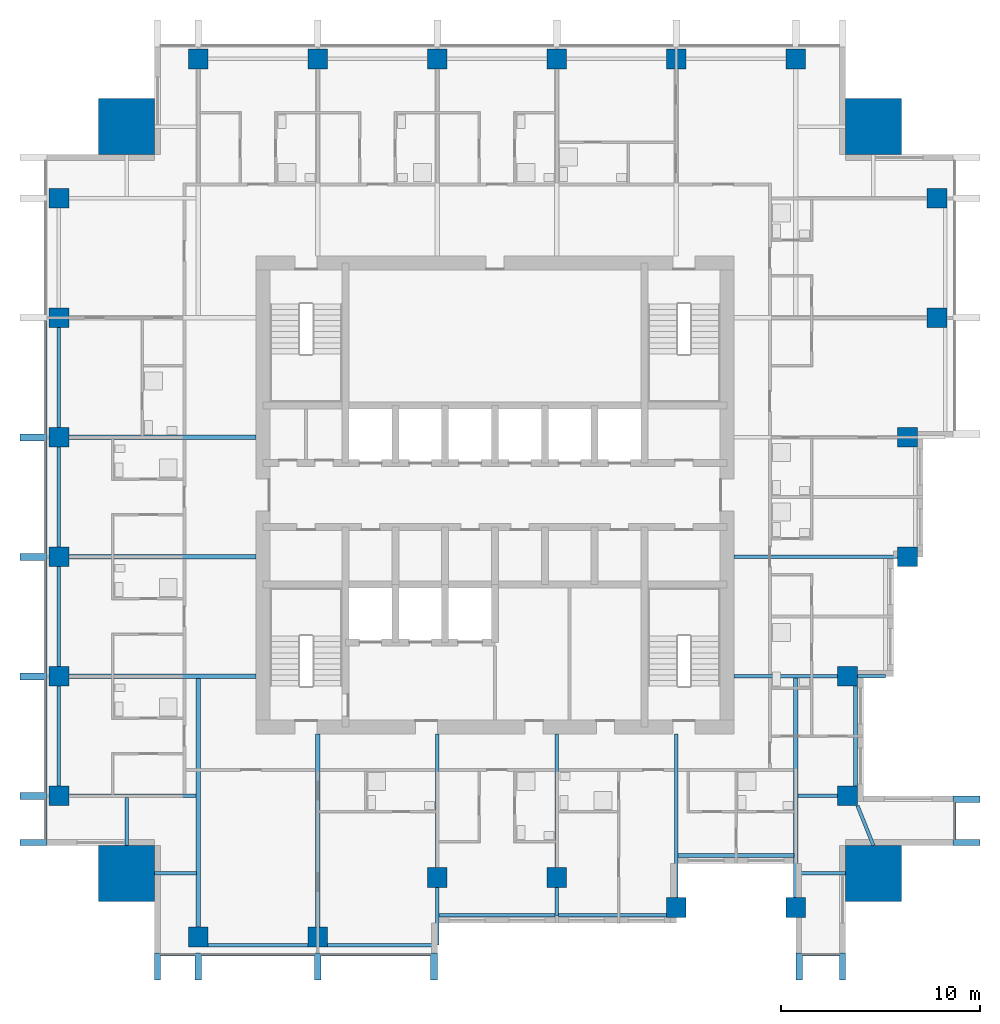
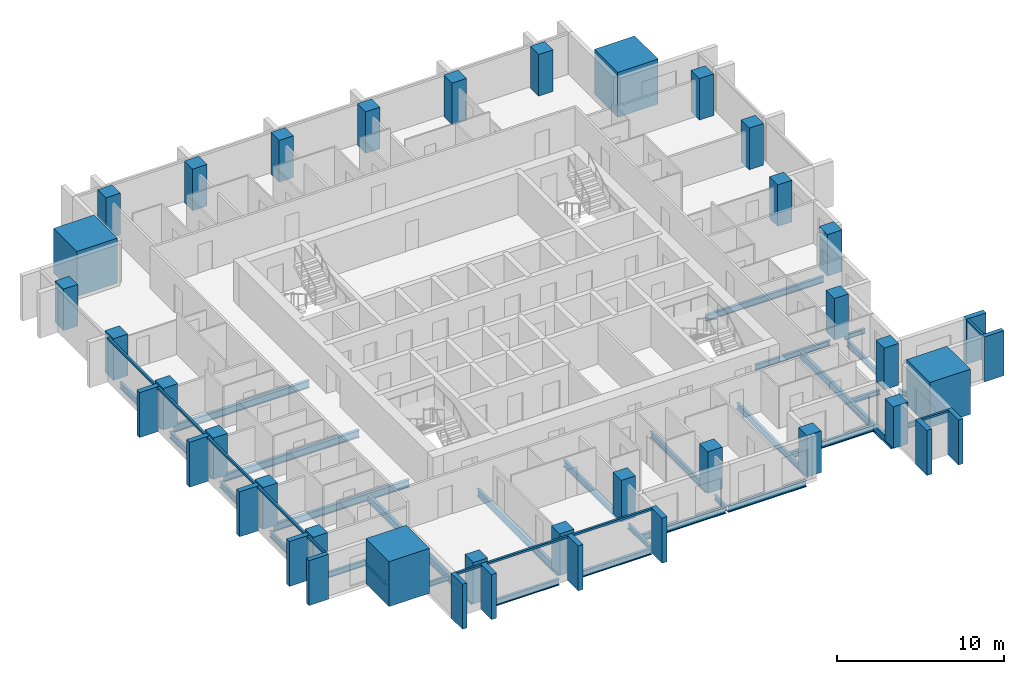
# One storey, part 1 of 10: 30 beams, 28 columns, 23 members, 4 elements without a shape of their own.
"""IFC4 building model written with IfcOpenShell, lengths in metres."""

from ifc_helpers import new_model, si_unit, direction, frame, origin, origin_2d, place, context, subcontext, project, spatial, rectangle, i_section, extrude, material, material_profile, profile_set, type_object, element, aggregate, save


model = new_model("IFC4")

# Units and contexts
model_context = context("Model", 3, precision=1e-05, world=origin(), true_north=direction((0.0, 1.0)))
body_context = subcontext(model_context, "Body", "Model", "MODEL_VIEW")
ifc_project = project(units=[si_unit("LENGTHUNIT", "METRE"), si_unit("AREAUNIT", "SQUARE_METRE"), si_unit("VOLUMEUNIT", "CUBIC_METRE"), si_unit("PLANEANGLEUNIT", "RADIAN"), si_unit("MASSUNIT", "GRAM", prefix="KILO")], contexts=[model_context])

# Site, building, storey
site_placement = place(None, origin())
site = spatial("IfcSite", under=ifc_project, at=site_placement, CompositionType="ELEMENT")
building_placement = place(site_placement, origin())
building = spatial("IfcBuilding", under=site, at=building_placement, Name="Amberfall Residences", CompositionType="ELEMENT")
storey_placement = place(building_placement, frame((0.0, 0.0, 158.199951171875)))
storey = spatial("IfcBuildingStorey", under=building, at=storey_placement, Name="L42", CompositionType="ELEMENT", Elevation=158.199951171875)

# Columns
ifc_material_1 = material(Name="Concrete C60", Category="concrete")
ifc_material_profile_1 = material_profile(ifc_material_1, rectangle(XDim=1.0, YDim=1.0, at=origin_2d()), Name="Column 1000 x 1000 C60")
ifc_profile_set_1 = profile_set([ifc_material_profile_1], Name="Concrete C60")
column_type_1 = type_object("IfcColumnType", Name="Column 1000 x 1000 C60", PredefinedType="COLUMN", material=ifc_profile_set_1)
for number, where, z_axis, x_axis, name in (
    (1, (59.60009765625, 23.300048828125, 0.0), (0.0, 0.0, 1.0), (1.0, 0.0, 0.0), "Column C3 L42 S1"),
    (2, (65.60009765625, 23.300048828125, 0.0), (0.0, 0.0, 1.0), (1.0, 0.0, 0.0), "Column C3 L42 S2"),
    (3, (71.60009765625, 26.300048828125, 0.0), (0.0, 0.0, 1.0), (1.0, 0.0, 0.0), "Column C3 L42 S3"),
    (4, (77.60009765625, 26.300048828125, 0.0), (0.0, 0.0, 1.0), (1.0, 0.0, 0.0), "Column C3 L42 S4"),
    (5, (83.60009765625, 24.800048828125, 0.0), (0.0, 0.0, 1.0), (1.0, 0.0, 0.0), "Column C3 L42 S5"),
    (6, (89.60009765625, 24.800048828125, 0.0), (0.0, 0.0, 1.0), (1.0, 0.0, 0.0), "Column C3 L42 S6"),
    (7, (92.199951171875, 30.39990234375, 0.0), (0.0, 0.0, 1.0), (1.0, 0.0, 0.0), "Column C3 L42 E1"),
    (8, (92.199951171875, 36.39990234375, 0.0), (0.0, 0.0, 1.0), (1.0, 0.0, 0.0), "Column C3 L42 E2"),
    (9, (95.199951171875, 42.39990234375, 0.0), (0.0, 0.0, 1.0), (1.0, 0.0, 0.0), "Column C3 L42 E3"),
    (10, (95.199951171875, 48.39990234375, 0.0), (0.0, 0.0, 1.0), (1.0, 0.0, 0.0), "Column C3 L42 E4"),
    (11, (96.699951171875, 54.39990234375, 0.0), (0.0, 0.0, 1.0), (1.0, 0.0, 0.0), "Column C3 L42 E5"),
    (12, (96.699951171875, 60.39990234375, 0.0), (0.0, 0.0, 1.0), (1.0, 0.0, 0.0), "Column C3 L42 E6"),
    (13, (59.60009765625, 67.39990234375, 0.0), (0.0, 0.0, 1.0), (1.0, 0.0, 0.0), "Column C3 L42 N1"),
    (14, (65.60009765625, 67.39990234375, 0.0), (0.0, 0.0, 1.0), (1.0, 0.0, 0.0), "Column C3 L42 N2"),
    (15, (71.60009765625, 67.39990234375, 0.0), (0.0, 0.0, 1.0), (1.0, 0.0, 0.0), "Column C3 L42 N3"),
    (16, (77.60009765625, 67.39990234375, 0.0), (0.0, 0.0, 1.0), (1.0, 0.0, 0.0), "Column C3 L42 N4"),
    (17, (83.60009765625, 67.39990234375, 0.0), (0.0, 0.0, 1.0), (1.0, 0.0, 0.0), "Column C3 L42 N5"),
    (18, (89.60009765625, 67.39990234375, 0.0), (0.0, 0.0, 1.0), (1.0, 0.0, 0.0), "Column C3 L42 N6"),
    (19, (52.60009765625, 30.39990234375, 0.0), (0.0, 0.0, 1.0), (1.0, 0.0, 0.0), "Column C3 L42 W1"),
    (20, (52.60009765625, 36.39990234375, 0.0), (0.0, 0.0, 1.0), (1.0, 0.0, 0.0), "Column C3 L42 W2"),
    (21, (52.60009765625, 42.39990234375, 0.0), (0.0, 0.0, 1.0), (1.0, 0.0, 0.0), "Column C3 L42 W3"),
    (22, (52.60009765625, 48.39990234375, 0.0), (0.0, 0.0, 1.0), (1.0, 0.0, 0.0), "Column C3 L42 W4"),
    (23, (52.60009765625, 54.39990234375, 0.0), (0.0, 0.0, 1.0), (1.0, 0.0, 0.0), "Column C3 L42 W5"),
    (24, (52.60009765625, 60.39990234375, 0.0), (0.0, 0.0, 1.0), (1.0, 0.0, 0.0), "Column C3 L42 W6"),
):
    element("IfcColumn", number, at=place(storey_placement, frame(where, z_axis=z_axis, x_axis=x_axis)), inside=storey, type_object=column_type_1, Name=name, PredefinedType="COLUMN", context=body_context, shape_type="SweptSolid", body=[
        extrude(rectangle(XDim=1.0, YDim=1.0, at=origin_2d()), origin(), (0.0, 0.0, 1.0), 3.050048828125),
    ])
ifc_material_profile_2 = material_profile(ifc_material_1, rectangle(XDim=2.800048828125, YDim=2.800048828125, at=origin_2d()), Name="Mega column 2800 x 2800 C60")
ifc_profile_set_2 = profile_set([ifc_material_profile_2], Name="Concrete C60")
column_type_2 = type_object("IfcColumnType", Name="Mega column 2800 x 2800 C60", PredefinedType="COLUMN", material=ifc_profile_set_2)
for number, where, z_axis, x_axis, name in (
    (25, (56.0, 26.5, 0.0), (0.0, 0.0, 1.0), (1.0, 0.0, 0.0), "Mega column MC5 L42 SW"),
    (26, (93.5, 26.5, 0.0), (0.0, 0.0, 1.0), (1.0, 0.0, 0.0), "Mega column MC5 L42 SE"),
    (27, (93.5, 64.0, 0.0), (0.0, 0.0, 1.0), (1.0, 0.0, 0.0), "Mega column MC5 L42 NE"),
    (28, (56.0, 64.0, 0.0), (0.0, 0.0, 1.0), (1.0, 0.0, 0.0), "Mega column MC5 L42 NW"),
):
    element("IfcColumn", number, at=place(storey_placement, frame(where, z_axis=z_axis, x_axis=x_axis)), inside=storey, type_object=column_type_2, Name=name, PredefinedType="COLUMN", context=body_context, shape_type="SweptSolid", body=[
        extrude(rectangle(XDim=2.800048828125, YDim=2.800048828125, at=origin_2d()), origin(), (0.0, 0.0, 1.0), 3.300048828125),
    ])

# Curtain wall, members
ifc_material_2 = material(Name="Bronze anodised aluminium and glass", Category="aluminium")
curtain_wall_type = type_object("IfcCurtainWallType", Name="Curtain wall CW1 tower unit", PredefinedType="USERDEFINED", material=ifc_material_2)
curtain_wall_1_placement = place(storey_placement, origin())
curtain_wall_1 = element("IfcCurtainWall", 29, at=curtain_wall_1_placement, inside=storey, type_object=curtain_wall_type, Name="Curtain wall L42 S S1", ObjectType="UNITISED CURTAIN WALL", PredefinedType="USERDEFINED")
ifc_material_3 = material(Name="Bronze anodised aluminium", Category="aluminium")
ifc_material_profile_3 = material_profile(ifc_material_3, rectangle(XDim=0.14990234375, YDim=0.14990234375, at=origin_2d()), Name="CW1 transom 150 x 150 bronze")
ifc_profile_set_3 = profile_set([ifc_material_profile_3], Name="Bronze anodised aluminium")
member_type_1 = type_object("IfcMemberType", Name="CW1 transom 150 x 150 bronze", PredefinedType="USERDEFINED", material=ifc_profile_set_3)
member_1_placement = place(storey_placement, frame((57.699951171875, 22.425048828125, 2.97509765625), z_axis=(1.0, 0.0, 0.0), x_axis=(0.0, 1.0, 0.0)))
member_1 = element("IfcMember", 30, at=member_1_placement, type_object=member_type_1, Name="CW1 transom 1.1", ObjectType="TRANSOM", PredefinedType="USERDEFINED", context=body_context, shape_type="SweptSolid", body=[
    extrude(rectangle(XDim=0.14990234375, YDim=0.14990234375, at=origin_2d()), origin(), (0.0, 0.0, 1.0), 1.72509765625),
])
member_2_placement = place(storey_placement, frame((59.77490234375, 22.425048828125, 2.97509765625), z_axis=(1.0, 0.0, 0.0), x_axis=(0.0, 1.0, 0.0)))
member_2 = element("IfcMember", 31, at=member_2_placement, type_object=member_type_1, Name="CW1 transom 2.1", ObjectType="TRANSOM", PredefinedType="USERDEFINED", context=body_context, shape_type="SweptSolid", body=[
    extrude(rectangle(XDim=0.14990234375, YDim=0.14990234375, at=origin_2d()), origin(), (0.0, 0.0, 1.0), 5.650146484375),
])
member_3_placement = place(storey_placement, frame((65.77490234375, 22.425048828125, 2.97509765625), z_axis=(1.0, 0.0, 0.0), x_axis=(0.0, 1.0, 0.0)))
member_3 = element("IfcMember", 32, at=member_3_placement, type_object=member_type_1, Name="CW1 transom 3.1", ObjectType="TRANSOM", PredefinedType="USERDEFINED", context=body_context, shape_type="SweptSolid", body=[
    extrude(rectangle(XDim=0.14990234375, YDim=0.14990234375, at=origin_2d()), origin(), (0.0, 0.0, 1.0), 5.47509765625),
])

# Curtain wall, member
curtain_wall_2_placement = place(storey_placement, origin())
curtain_wall_2 = element("IfcCurtainWall", 33, at=curtain_wall_2_placement, inside=storey, type_object=curtain_wall_type, Name="Curtain wall L42 S S8", ObjectType="UNITISED CURTAIN WALL", PredefinedType="USERDEFINED")
member_4_placement = place(storey_placement, frame((89.949951171875, 22.425048828125, 2.97509765625), z_axis=(1.0, 0.0, 0.0), x_axis=(0.0, 1.0, 0.0)))
member_4 = element("IfcMember", 34, at=member_4_placement, type_object=member_type_1, Name="CW1 transom 1.1", ObjectType="TRANSOM", PredefinedType="USERDEFINED", context=body_context, shape_type="SweptSolid", body=[
    extrude(rectangle(XDim=0.14990234375, YDim=0.14990234375, at=origin_2d()), origin(), (0.0, 0.0, 1.0), 1.85009765625),
])

curtain_wall_3_placement = place(storey_placement, origin())
curtain_wall_3 = element("IfcCurtainWall", 35, at=curtain_wall_3_placement, inside=storey, type_object=curtain_wall_type, Name="Curtain wall L42 E E1", ObjectType="UNITISED CURTAIN WALL", PredefinedType="USERDEFINED")
member_5_placement = place(storey_placement, frame((97.574951171875, 28.199951171875, 2.97509765625), z_axis=(0.0, 1.0, 0.0), x_axis=(-1.0, 0.0, 0.0)))
member_5 = element("IfcMember", 36, at=member_5_placement, type_object=member_type_1, Name="CW1 transom 1.1", ObjectType="TRANSOM", PredefinedType="USERDEFINED", context=body_context, shape_type="SweptSolid", body=[
    extrude(rectangle(XDim=0.14990234375, YDim=0.14990234375, at=origin_2d()), origin(), (0.0, 0.0, 1.0), 1.85009765625),
])

# Curtain wall, members
curtain_wall_4_placement = place(storey_placement, origin())
curtain_wall_4 = element("IfcCurtainWall", 37, at=curtain_wall_4_placement, inside=storey, type_object=curtain_wall_type, Name="Curtain wall L42 W W1", ObjectType="UNITISED CURTAIN WALL", PredefinedType="USERDEFINED")
member_6_placement = place(storey_placement, frame((51.925048828125, 54.22509765625, 2.97509765625), z_axis=(0.0, -1.0, 0.0), x_axis=(1.0, 0.0, 0.0)))
member_6 = element("IfcMember", 38, at=member_6_placement, type_object=member_type_1, Name="CW1 transom 3.1", ObjectType="TRANSOM", PredefinedType="USERDEFINED", context=body_context, shape_type="SweptSolid", body=[
    extrude(rectangle(XDim=0.14990234375, YDim=0.14990234375, at=origin_2d()), origin(), (0.0, 0.0, 1.0), 5.650146484375),
])
member_7_placement = place(storey_placement, frame((51.925048828125, 48.22509765625, 2.97509765625), z_axis=(0.0, -1.0, 0.0), x_axis=(1.0, 0.0, 0.0)))
member_7 = element("IfcMember", 39, at=member_7_placement, type_object=member_type_1, Name="CW1 transom 4.1", ObjectType="TRANSOM", PredefinedType="USERDEFINED", context=body_context, shape_type="SweptSolid", body=[
    extrude(rectangle(XDim=0.14990234375, YDim=0.14990234375, at=origin_2d()), origin(), (0.0, 0.0, 1.0), 5.650146484375),
])
member_8_placement = place(storey_placement, frame((51.925048828125, 42.22509765625, 2.97509765625), z_axis=(0.0, -1.0, 0.0), x_axis=(1.0, 0.0, 0.0)))
member_8 = element("IfcMember", 40, at=member_8_placement, type_object=member_type_1, Name="CW1 transom 5.1", ObjectType="TRANSOM", PredefinedType="USERDEFINED", context=body_context, shape_type="SweptSolid", body=[
    extrude(rectangle(XDim=0.14990234375, YDim=0.14990234375, at=origin_2d()), origin(), (0.0, 0.0, 1.0), 5.650146484375),
])
member_9_placement = place(storey_placement, frame((51.925048828125, 36.22509765625, 2.97509765625), z_axis=(0.0, -1.0, 0.0), x_axis=(1.0, 0.0, 0.0)))
member_9 = element("IfcMember", 41, at=member_9_placement, type_object=member_type_1, Name="CW1 transom 6.1", ObjectType="TRANSOM", PredefinedType="USERDEFINED", context=body_context, shape_type="SweptSolid", body=[
    extrude(rectangle(XDim=0.14990234375, YDim=0.14990234375, at=origin_2d()), origin(), (0.0, 0.0, 1.0), 5.650146484375),
])
member_10_placement = place(storey_placement, frame((51.925048828125, 30.22509765625, 2.97509765625), z_axis=(0.0, -1.0, 0.0), x_axis=(1.0, 0.0, 0.0)))
member_10 = element("IfcMember", 42, at=member_10_placement, type_object=member_type_1, Name="CW1 transom 7.1", ObjectType="TRANSOM", PredefinedType="USERDEFINED", context=body_context, shape_type="SweptSolid", body=[
    extrude(rectangle(XDim=0.14990234375, YDim=0.14990234375, at=origin_2d()), origin(), (0.0, 0.0, 1.0), 2.025146484375),
])

# Beams
ifc_material_4 = material(Name="Steel S355", Category="steel")
ifc_material_profile_4 = material_profile(ifc_material_4, i_section(OverallWidth=0.171142578125, OverallDepth=0.351318359375, WebThickness=0.007080078125, FlangeThickness=0.009765625, FilletRadius=0.01025390625, at=origin_2d()), Name="UB 356x171x45")
ifc_profile_set_4 = profile_set([ifc_material_profile_4], Name="Steel S355")
beam_type_1 = type_object("IfcBeamType", Name="Cantilever girder UB 356x171x45", PredefinedType="BEAM", material=ifc_profile_set_4)
beam_1_placement = place(storey_placement, frame((71.60009765625, 25.800048828125, -0.425537109375), z_axis=(0.0, -1.0, 0.0), x_axis=(1.0, 0.0, 0.0)))
element("IfcBeam", 43, at=beam_1_placement, inside=storey, type_object=beam_type_1, Name="Cantilever girder B8 L42 06", PredefinedType="BEAM", context=body_context, shape_type="SweptSolid", body=[
    extrude(i_section(OverallWidth=0.171142578125, OverallDepth=0.351318359375, WebThickness=0.007080078125, FlangeThickness=0.009765625, FilletRadius=0.01025390625, at=origin_2d()), origin(), (0.0, 0.0, 1.0), 2.900146484375),
])
for number, where, z_axis, x_axis, name in (
    (44, (77.60009765625, 25.800048828125, -0.425537109375), (0.0, -1.0, 0.0), (1.0, 0.0, 0.0), "Cantilever girder B8 L42 07"),
    (45, (92.699951171875, 36.39990234375, -0.425537109375), (1.0, 0.0, 0.0), (0.0, 1.0, 0.0), "Cantilever girder B8 L42 19"),
):
    element("IfcBeam", number, at=place(storey_placement, frame(where, z_axis=z_axis, x_axis=x_axis)), inside=storey, type_object=beam_type_1, Name=name, PredefinedType="BEAM", context=body_context, shape_type="SweptSolid", body=[
        extrude(i_section(OverallWidth=0.171142578125, OverallDepth=0.351318359375, WebThickness=0.007080078125, FlangeThickness=0.009765625, FilletRadius=0.01025390625, at=origin_2d()), origin(), (0.0, 0.0, 1.0), 1.400146484375),
    ])

# Member
ifc_material_profile_5 = material_profile(ifc_material_3, rectangle(XDim=1.35009765625, YDim=0.300048828125, at=origin_2d()), Name="Corner fin 300 x 1350 bronze")
ifc_profile_set_5 = profile_set([ifc_material_profile_5], Name="Bronze anodised aluminium")
member_type_2 = type_object("IfcMemberType", Name="Corner fin 300 x 1350 bronze", PredefinedType="MULLION", material=ifc_profile_set_5)
member_11_placement = place(storey_placement, frame((57.550048828125, 21.824951171875, -0.25), z_axis=(0.0, 0.0, 1.0), x_axis=(0.0, 1.0, 0.0)))
member_11 = element("IfcMember", 46, at=member_11_placement, type_object=member_type_2, Name="CW FIN 1", PredefinedType="MULLION", context=body_context, shape_type="SweptSolid", body=[
    extrude(rectangle(XDim=1.35009765625, YDim=0.300048828125, at=origin_2d()), origin(), (0.0, 0.0, 1.0), 3.300048828125),
])

member_12_placement = place(storey_placement, frame((91.949951171875, 21.824951171875, -0.25), z_axis=(0.0, 0.0, 1.0), x_axis=(0.0, 1.0, 0.0)))
member_12 = element("IfcMember", 47, at=member_12_placement, type_object=member_type_2, Name="CW FIN 2", PredefinedType="MULLION", context=body_context, shape_type="SweptSolid", body=[
    extrude(rectangle(XDim=1.35009765625, YDim=0.300048828125, at=origin_2d()), origin(), (0.0, 0.0, 1.0), 3.300048828125),
])

member_13_placement = place(storey_placement, frame((98.175048828125, 28.050048828125, -0.25), z_axis=(0.0, 0.0, 1.0), x_axis=(-1.0, 0.0, 0.0)))
member_13 = element("IfcMember", 48, at=member_13_placement, type_object=member_type_2, Name="CW FIN 1", PredefinedType="MULLION", context=body_context, shape_type="SweptSolid", body=[
    extrude(rectangle(XDim=1.35009765625, YDim=0.300048828125, at=origin_2d()), origin(), (0.0, 0.0, 1.0), 3.300048828125),
])

member_14_placement = place(storey_placement, frame((51.324951171875, 28.050048828125, -0.25), z_axis=(0.0, 0.0, 1.0), x_axis=(1.0, 0.0, 0.0)))
member_14 = element("IfcMember", 49, at=member_14_placement, type_object=member_type_2, Name="CW FIN 8", PredefinedType="MULLION", context=body_context, shape_type="SweptSolid", body=[
    extrude(rectangle(XDim=1.35009765625, YDim=0.300048828125, at=origin_2d()), origin(), (0.0, 0.0, 1.0), 3.300048828125),
])

# Beams
ifc_material_profile_6 = material_profile(ifc_material_4, i_section(OverallWidth=0.18994140625, OverallDepth=0.453369140625, WebThickness=0.008544921875, FlangeThickness=0.0126953125, FilletRadius=0.01025390625, at=origin_2d()), Name="UB 457x191x67")
ifc_profile_set_6 = profile_set([ifc_material_profile_6], Name="Steel S355")
beam_type_2 = type_object("IfcBeamType", Name="Edge beam UB 457x191x67", PredefinedType="SPANDREL", material=ifc_profile_set_6)
beam_2_placement = place(storey_placement, frame((60.10009765625, 22.89990234375, -0.4765625), z_axis=(1.0, 0.0, 0.0), x_axis=(0.0, 1.0, 0.0)))
element("IfcBeam", 50, at=beam_2_placement, inside=storey, type_object=beam_type_2, Name="Edge beam B1 L42 01", PredefinedType="SPANDREL", context=body_context, shape_type="SweptSolid", body=[
    extrude(i_section(OverallWidth=0.18994140625, OverallDepth=0.453369140625, WebThickness=0.008544921875, FlangeThickness=0.0126953125, FilletRadius=0.01025390625, at=origin_2d()), origin(), (0.0, 0.0, 1.0), 5.0),
])
beam_3_placement = place(storey_placement, frame((66.10009765625, 22.89990234375, -0.4765625), z_axis=(1.0, 0.0, 0.0), x_axis=(0.0, 1.0, 0.0)))
element("IfcBeam", 51, at=beam_3_placement, inside=storey, type_object=beam_type_2, Name="Edge beam B1 L42 02", PredefinedType="SPANDREL", context=body_context, shape_type="SweptSolid", body=[
    extrude(i_section(OverallWidth=0.18994140625, OverallDepth=0.453369140625, WebThickness=0.008544921875, FlangeThickness=0.0126953125, FilletRadius=0.01025390625, at=origin_2d()), origin(), (0.0, 0.0, 1.0), 5.419921875),
])
beam_4_placement = place(storey_placement, frame((71.679931640625, 24.39990234375, -0.4765625), z_axis=(1.0, 0.0, 0.0), x_axis=(0.0, 1.0, 0.0)))
element("IfcBeam", 52, at=beam_4_placement, inside=storey, type_object=beam_type_2, Name="Edge beam B1 L42 03", PredefinedType="SPANDREL", context=body_context, shape_type="SweptSolid", body=[
    extrude(i_section(OverallWidth=0.18994140625, OverallDepth=0.453369140625, WebThickness=0.008544921875, FlangeThickness=0.0126953125, FilletRadius=0.01025390625, at=origin_2d()), origin(), (0.0, 0.0, 1.0), 5.840087890625),
])
beam_5_placement = place(storey_placement, frame((77.679931640625, 24.39990234375, -0.4765625), z_axis=(1.0, 0.0, 0.0), x_axis=(0.0, 1.0, 0.0)))
element("IfcBeam", 53, at=beam_5_placement, inside=storey, type_object=beam_type_2, Name="Edge beam B1 L42 04", PredefinedType="SPANDREL", context=body_context, shape_type="SweptSolid", body=[
    extrude(i_section(OverallWidth=0.18994140625, OverallDepth=0.453369140625, WebThickness=0.008544921875, FlangeThickness=0.0126953125, FilletRadius=0.01025390625, at=origin_2d()), origin(), (0.0, 0.0, 1.0), 5.420166015625),
])
beam_6_placement = place(storey_placement, frame((83.679931640625, 27.39990234375, -0.4765625), z_axis=(1.0, 0.0, 0.0), x_axis=(0.0, 1.0, 0.0)))
element("IfcBeam", 54, at=beam_6_placement, inside=storey, type_object=beam_type_2, Name="Edge beam B1 L42 05", PredefinedType="SPANDREL", context=body_context, shape_type="SweptSolid", body=[
    extrude(i_section(OverallWidth=0.18994140625, OverallDepth=0.453369140625, WebThickness=0.008544921875, FlangeThickness=0.0126953125, FilletRadius=0.01025390625, at=origin_2d()), origin(), (0.0, 0.0, 1.0), 5.840087890625),
])
for number, where, z_axis, x_axis, name in (
    (55, (92.60009765625, 30.89990234375, -0.4765625), (0.0, 1.0, 0.0), (-1.0, 0.0, 0.0), "Edge beam B1 L42 14"),
    (56, (52.60009765625, 30.89990234375, -0.4765625), (0.0, 1.0, 0.0), (-1.0, 0.0, 0.0), "Edge beam B1 L42 38"),
    (57, (52.60009765625, 36.89990234375, -0.4765625), (0.0, 1.0, 0.0), (-1.0, 0.0, 0.0), "Edge beam B1 L42 39"),
    (58, (52.60009765625, 42.89990234375, -0.4765625), (0.0, 1.0, 0.0), (-1.0, 0.0, 0.0), "Edge beam B1 L42 40"),
    (59, (52.60009765625, 48.89990234375, -0.4765625), (0.0, 1.0, 0.0), (-1.0, 0.0, 0.0), "Edge beam B1 L42 41"),
):
    element("IfcBeam", number, at=place(storey_placement, frame(where, z_axis=z_axis, x_axis=x_axis)), inside=storey, type_object=beam_type_2, Name=name, PredefinedType="SPANDREL", context=body_context, shape_type="SweptSolid", body=[
        extrude(i_section(OverallWidth=0.18994140625, OverallDepth=0.453369140625, WebThickness=0.008544921875, FlangeThickness=0.0126953125, FilletRadius=0.01025390625, at=origin_2d()), origin(), (0.0, 0.0, 1.0), 5.0),
    ])

# Member
ifc_material_profile_7 = material_profile(ifc_material_3, rectangle(XDim=1.35009765625, YDim=0.35009765625, at=origin_2d()), Name="Fin 350 x 1350 bronze")
ifc_profile_set_7 = profile_set([ifc_material_profile_7], Name="Bronze anodised aluminium")
member_type_3 = type_object("IfcMemberType", Name="Fin 350 x 1350 bronze", PredefinedType="MULLION", material=ifc_profile_set_7)
member_15_placement = place(storey_placement, frame((59.60009765625, 21.824951171875, -0.25), z_axis=(0.0, 0.0, 1.0), x_axis=(0.0, 1.0, 0.0)))
member_15 = element("IfcMember", 60, at=member_15_placement, type_object=member_type_3, Name="CW FIN 2", PredefinedType="MULLION", context=body_context, shape_type="SweptSolid", body=[
    extrude(rectangle(XDim=1.35009765625, YDim=0.35009765625, at=origin_2d()), origin(), (0.0, 0.0, 1.0), 3.300048828125),
])

member_16_placement = place(storey_placement, frame((65.60009765625, 21.824951171875, -0.25), z_axis=(0.0, 0.0, 1.0), x_axis=(0.0, 1.0, 0.0)))
member_16 = element("IfcMember", 61, at=member_16_placement, type_object=member_type_3, Name="CW FIN 3", PredefinedType="MULLION", context=body_context, shape_type="SweptSolid", body=[
    extrude(rectangle(XDim=1.35009765625, YDim=0.35009765625, at=origin_2d()), origin(), (0.0, 0.0, 1.0), 3.300048828125),
])

member_17_placement = place(storey_placement, frame((71.425048828125, 21.824951171875, -0.25), z_axis=(0.0, 0.0, 1.0), x_axis=(0.0, 1.0, 0.0)))
member_17 = element("IfcMember", 62, at=member_17_placement, type_object=member_type_3, Name="CW FIN 4", PredefinedType="MULLION", context=body_context, shape_type="SweptSolid", body=[
    extrude(rectangle(XDim=1.35009765625, YDim=0.35009765625, at=origin_2d()), origin(), (0.0, 0.0, 1.0), 3.300048828125),
])

aggregate(curtain_wall_1, [member_11, member_15, member_16, member_17, member_1, member_2, member_3])

member_18_placement = place(storey_placement, frame((89.77490234375, 21.824951171875, -0.25), z_axis=(0.0, 0.0, 1.0), x_axis=(0.0, 1.0, 0.0)))
member_18 = element("IfcMember", 63, at=member_18_placement, type_object=member_type_3, Name="CW FIN 1", PredefinedType="MULLION", context=body_context, shape_type="SweptSolid", body=[
    extrude(rectangle(XDim=1.35009765625, YDim=0.35009765625, at=origin_2d()), origin(), (0.0, 0.0, 1.0), 3.300048828125),
])

aggregate(curtain_wall_2, [member_18, member_12, member_4])

member_19_placement = place(storey_placement, frame((98.175048828125, 30.22509765625, -0.25), z_axis=(0.0, 0.0, 1.0), x_axis=(-1.0, 0.0, 0.0)))
member_19 = element("IfcMember", 64, at=member_19_placement, type_object=member_type_3, Name="CW FIN 2", PredefinedType="MULLION", context=body_context, shape_type="SweptSolid", body=[
    extrude(rectangle(XDim=1.35009765625, YDim=0.35009765625, at=origin_2d()), origin(), (0.0, 0.0, 1.0), 3.300048828125),
])

aggregate(curtain_wall_3, [member_13, member_19, member_5])

member_20_placement = place(storey_placement, frame((51.324951171875, 48.39990234375, -0.25), z_axis=(0.0, 0.0, 1.0), x_axis=(1.0, 0.0, 0.0)))
member_20 = element("IfcMember", 65, at=member_20_placement, type_object=member_type_3, Name="CW FIN 4", PredefinedType="MULLION", context=body_context, shape_type="SweptSolid", body=[
    extrude(rectangle(XDim=1.35009765625, YDim=0.35009765625, at=origin_2d()), origin(), (0.0, 0.0, 1.0), 3.300048828125),
])

member_21_placement = place(storey_placement, frame((51.324951171875, 42.39990234375, -0.25), z_axis=(0.0, 0.0, 1.0), x_axis=(1.0, 0.0, 0.0)))
member_21 = element("IfcMember", 66, at=member_21_placement, type_object=member_type_3, Name="CW FIN 5", PredefinedType="MULLION", context=body_context, shape_type="SweptSolid", body=[
    extrude(rectangle(XDim=1.35009765625, YDim=0.35009765625, at=origin_2d()), origin(), (0.0, 0.0, 1.0), 3.300048828125),
])

member_22_placement = place(storey_placement, frame((51.324951171875, 36.39990234375, -0.25), z_axis=(0.0, 0.0, 1.0), x_axis=(1.0, 0.0, 0.0)))
member_22 = element("IfcMember", 67, at=member_22_placement, type_object=member_type_3, Name="CW FIN 6", PredefinedType="MULLION", context=body_context, shape_type="SweptSolid", body=[
    extrude(rectangle(XDim=1.35009765625, YDim=0.35009765625, at=origin_2d()), origin(), (0.0, 0.0, 1.0), 3.300048828125),
])

member_23_placement = place(storey_placement, frame((51.324951171875, 30.39990234375, -0.25), z_axis=(0.0, 0.0, 1.0), x_axis=(1.0, 0.0, 0.0)))
member_23 = element("IfcMember", 68, at=member_23_placement, type_object=member_type_3, Name="CW FIN 7", PredefinedType="MULLION", context=body_context, shape_type="SweptSolid", body=[
    extrude(rectangle(XDim=1.35009765625, YDim=0.35009765625, at=origin_2d()), origin(), (0.0, 0.0, 1.0), 3.300048828125),
])

aggregate(curtain_wall_4, [member_20, member_21, member_22, member_23, member_14, member_6, member_7, member_8, member_9, member_10])

# Beams
ifc_material_profile_8 = material_profile(ifc_material_4, i_section(OverallWidth=0.171142578125, OverallDepth=0.351318359375, WebThickness=0.007080078125, FlangeThickness=0.009765625, FilletRadius=0.01025390625, at=origin_2d()), Name="UB 356x171x45")
ifc_profile_set_8 = profile_set([ifc_material_profile_8], Name="Steel S355")
beam_type_3 = type_object("IfcBeamType", Name="Floor girder UB 356x171x45", PredefinedType="BEAM", material=ifc_profile_set_8)
beam_7_placement = place(storey_placement, frame((91.699951171875, 30.39990234375, -0.425537109375), z_axis=(-1.0, 0.0, 0.0), x_axis=(0.0, -1.0, 0.0)))
element("IfcBeam", 69, at=beam_7_placement, inside=storey, type_object=beam_type_3, Name="Floor girder B11 L42 21", PredefinedType="BEAM", context=body_context, shape_type="SweptSolid", body=[
    extrude(i_section(OverallWidth=0.171142578125, OverallDepth=0.351318359375, WebThickness=0.007080078125, FlangeThickness=0.009765625, FilletRadius=0.01025390625, at=origin_2d()), origin(), (0.0, 0.0, 1.0), 1.97998046875),
])
ifc_material_profile_9 = material_profile(ifc_material_4, i_section(OverallWidth=0.177734375, OverallDepth=0.402587890625, WebThickness=0.0078125, FlangeThickness=0.010986328125, FilletRadius=0.01025390625, at=origin_2d()), Name="UB 406x178x54")
ifc_profile_set_9 = profile_set([ifc_material_profile_9], Name="Steel S355")
beam_type_4 = type_object("IfcBeamType", Name="Floor girder UB 406x178x54", PredefinedType="BEAM", material=ifc_profile_set_9)
beam_8_placement = place(storey_placement, frame((91.699951171875, 36.39990234375, -0.451171875), z_axis=(-1.0, 0.0, 0.0), x_axis=(0.0, -1.0, 0.0)))
element("IfcBeam", 70, at=beam_8_placement, inside=storey, type_object=beam_type_4, Name="Floor girder B4 L42 22", PredefinedType="BEAM", context=body_context, shape_type="SweptSolid", body=[
    extrude(i_section(OverallWidth=0.177734375, OverallDepth=0.402587890625, WebThickness=0.0078125, FlangeThickness=0.010986328125, FilletRadius=0.01025390625, at=origin_2d()), origin(), (0.0, 0.0, 1.0), 5.199951171875),
])
beam_9_placement = place(storey_placement, frame((53.10009765625, 30.39990234375, -0.451171875), z_axis=(1.0, 0.0, 0.0), x_axis=(0.0, 1.0, 0.0)))
element("IfcBeam", 71, at=beam_9_placement, inside=storey, type_object=beam_type_4, Name="Floor girder B4 L42 43", PredefinedType="BEAM", context=body_context, shape_type="SweptSolid", body=[
    extrude(i_section(OverallWidth=0.177734375, OverallDepth=0.402587890625, WebThickness=0.0078125, FlangeThickness=0.010986328125, FilletRadius=0.01025390625, at=origin_2d()), origin(), (0.0, 0.0, 1.0), 6.3798828125),
])
ifc_material_profile_10 = material_profile(ifc_material_4, i_section(OverallWidth=0.19140625, OverallDepth=0.4599609375, WebThickness=0.010009765625, FlangeThickness=0.01611328125, FilletRadius=0.01025390625, at=origin_2d()), Name="UB 457x191x82")
ifc_profile_set_10 = profile_set([ifc_material_profile_10], Name="Steel S355")
beam_type_5 = type_object("IfcBeamType", Name="Floor girder UB 457x191x82", PredefinedType="BEAM", material=ifc_profile_set_10)
for number, where, z_axis, x_axis, name in (
    (72, (71.60009765625, 26.800048828125, -0.47998046875), (0.0, 1.0, 0.0), (-1.0, 0.0, 0.0), "Floor girder B10 L42 10"),
    (73, (77.60009765625, 26.800048828125, -0.47998046875), (0.0, 1.0, 0.0), (-1.0, 0.0, 0.0), "Floor girder B10 L42 11"),
):
    element("IfcBeam", number, at=place(storey_placement, frame(where, z_axis=z_axis, x_axis=x_axis)), inside=storey, type_object=beam_type_5, Name=name, PredefinedType="BEAM", context=body_context, shape_type="SweptSolid", body=[
        extrude(i_section(OverallWidth=0.19140625, OverallDepth=0.4599609375, WebThickness=0.010009765625, FlangeThickness=0.01611328125, FilletRadius=0.01025390625, at=origin_2d()), origin(), (0.0, 0.0, 1.0), 6.699951171875),
    ])
for number, where, z_axis, x_axis, name in (
    (74, (83.60009765625, 25.300048828125, -0.47998046875), (0.0, 1.0, 0.0), (-1.0, 0.0, 0.0), "Floor girder B10 L42 12"),
    (75, (94.699951171875, 42.39990234375, -0.47998046875), (-1.0, 0.0, 0.0), (0.0, -1.0, 0.0), "Floor girder B10 L42 23"),
):
    element("IfcBeam", number, at=place(storey_placement, frame(where, z_axis=z_axis, x_axis=x_axis)), inside=storey, type_object=beam_type_5, Name=name, PredefinedType="BEAM", context=body_context, shape_type="SweptSolid", body=[
        extrude(i_section(OverallWidth=0.19140625, OverallDepth=0.4599609375, WebThickness=0.010009765625, FlangeThickness=0.01611328125, FilletRadius=0.01025390625, at=origin_2d()), origin(), (0.0, 0.0, 1.0), 8.199951171875),
    ])
ifc_material_profile_11 = material_profile(ifc_material_4, i_section(OverallWidth=0.210693359375, OverallDepth=0.53955078125, WebThickness=0.01171875, FlangeThickness=0.018798828125, FilletRadius=0.0126953125, at=origin_2d()), Name="UB 533x210x109")
ifc_profile_set_11 = profile_set([ifc_material_profile_11], Name="Steel S355")
beam_type_6 = type_object("IfcBeamType", Name="Floor girder UB 533x210x109", PredefinedType="BEAM", material=ifc_profile_set_11)
beam_10_placement = place(storey_placement, frame((59.60009765625, 23.800048828125, -0.519775390625), z_axis=(0.0, 1.0, 0.0), x_axis=(-1.0, 0.0, 0.0)))
element("IfcBeam", 76, at=beam_10_placement, inside=storey, type_object=beam_type_6, Name="Floor girder B2 L42 08", PredefinedType="BEAM", context=body_context, shape_type="SweptSolid", body=[
    extrude(i_section(OverallWidth=0.210693359375, OverallDepth=0.53955078125, WebThickness=0.01171875, FlangeThickness=0.018798828125, FilletRadius=0.0126953125, at=origin_2d()), origin(), (0.0, 0.0, 1.0), 12.500244140625),
])
beam_11_placement = place(storey_placement, frame((89.60009765625, 25.300048828125, -0.519775390625), z_axis=(0.0, 1.0, 0.0), x_axis=(-1.0, 0.0, 0.0)))
element("IfcBeam", 77, at=beam_11_placement, inside=storey, type_object=beam_type_6, Name="Floor girder B2 L42 13", PredefinedType="BEAM", context=body_context, shape_type="SweptSolid", body=[
    extrude(i_section(OverallWidth=0.210693359375, OverallDepth=0.53955078125, WebThickness=0.01171875, FlangeThickness=0.018798828125, FilletRadius=0.0126953125, at=origin_2d()), origin(), (0.0, 0.0, 1.0), 11.01611328125),
])
ifc_material_profile_12 = material_profile(ifc_material_4, i_section(OverallWidth=0.209228515625, OverallDepth=0.533203125, WebThickness=0.010009765625, FlangeThickness=0.015625, FilletRadius=0.0126953125, at=origin_2d()), Name="UB 533x210x92")
ifc_profile_set_12 = profile_set([ifc_material_profile_12], Name="Steel S355")
beam_type_7 = type_object("IfcBeamType", Name="Floor girder UB 533x210x92", PredefinedType="BEAM", material=ifc_profile_set_12)
beam_12_placement = place(storey_placement, frame((65.60009765625, 23.800048828125, -0.5166015625), z_axis=(0.0, 1.0, 0.0), x_axis=(-1.0, 0.0, 0.0)))
element("IfcBeam", 78, at=beam_12_placement, inside=storey, type_object=beam_type_7, Name="Floor girder B3 L42 09", PredefinedType="BEAM", context=body_context, shape_type="SweptSolid", body=[
    extrude(i_section(OverallWidth=0.209228515625, OverallDepth=0.533203125, WebThickness=0.010009765625, FlangeThickness=0.015625, FilletRadius=0.0126953125, at=origin_2d()), origin(), (0.0, 0.0, 1.0), 9.699951171875),
])
for number, where, z_axis, x_axis, name in (
    (79, (53.10009765625, 36.39990234375, -0.5166015625), (1.0, 0.0, 0.0), (0.0, 1.0, 0.0), "Floor girder B3 L42 44"),
    (80, (53.10009765625, 42.39990234375, -0.5166015625), (1.0, 0.0, 0.0), (0.0, 1.0, 0.0), "Floor girder B3 L42 45"),
    (81, (53.10009765625, 48.39990234375, -0.5166015625), (1.0, 0.0, 0.0), (0.0, 1.0, 0.0), "Floor girder B3 L42 46"),
):
    element("IfcBeam", number, at=place(storey_placement, frame(where, z_axis=z_axis, x_axis=x_axis)), inside=storey, type_object=beam_type_7, Name=name, PredefinedType="BEAM", context=body_context, shape_type="SweptSolid", body=[
        extrude(i_section(OverallWidth=0.209228515625, OverallDepth=0.533203125, WebThickness=0.010009765625, FlangeThickness=0.015625, FilletRadius=0.0126953125, at=origin_2d()), origin(), (0.0, 0.0, 1.0), 9.39990234375),
    ])
ifc_material_profile_13 = material_profile(ifc_material_4, i_section(OverallWidth=0.171142578125, OverallDepth=0.351318359375, WebThickness=0.007080078125, FlangeThickness=0.009765625, FilletRadius=0.01025390625, at=origin_2d()), Name="UB 356x171x45")
ifc_profile_set_13 = profile_set([ifc_material_profile_13], Name="Steel S355")
beam_type_8 = type_object("IfcBeamType", Name="Link beam UB 356x171x45", PredefinedType="BEAM", material=ifc_profile_set_13)
beam_13_placement = place(storey_placement, frame((57.39990234375, 26.5, -0.425537109375), z_axis=(1.0, 0.0, 0.0), x_axis=(0.0, 1.0, 0.0)))
element("IfcBeam", 82, at=beam_13_placement, inside=storey, type_object=beam_type_8, Name="Link beam B7 L42 49", PredefinedType="BEAM", context=body_context, shape_type="SweptSolid", body=[
    extrude(i_section(OverallWidth=0.171142578125, OverallDepth=0.351318359375, WebThickness=0.007080078125, FlangeThickness=0.009765625, FilletRadius=0.01025390625, at=origin_2d()), origin(), (0.0, 0.0, 1.0), 2.104736328125),
])
beam_14_placement = place(storey_placement, frame((56.0, 27.89990234375, -0.425537109375), z_axis=(0.0, 1.0, 0.0), x_axis=(-1.0, 0.0, 0.0)))
element("IfcBeam", 83, at=beam_14_placement, inside=storey, type_object=beam_type_8, Name="Link beam B7 L42 50", PredefinedType="BEAM", context=body_context, shape_type="SweptSolid", body=[
    extrude(i_section(OverallWidth=0.171142578125, OverallDepth=0.351318359375, WebThickness=0.007080078125, FlangeThickness=0.009765625, FilletRadius=0.01025390625, at=origin_2d()), origin(), (0.0, 0.0, 1.0), 2.42138671875),
])
beam_15_placement = place(storey_placement, frame((92.10009765625, 26.5, -0.425537109375), z_axis=(-1.0, 0.0, 0.0), x_axis=(0.0, -1.0, 0.0)))
element("IfcBeam", 84, at=beam_15_placement, inside=storey, type_object=beam_type_8, Name="Link beam B7 L42 51", PredefinedType="BEAM", context=body_context, shape_type="SweptSolid", body=[
    extrude(i_section(OverallWidth=0.171142578125, OverallDepth=0.351318359375, WebThickness=0.007080078125, FlangeThickness=0.009765625, FilletRadius=0.01025390625, at=origin_2d()), origin(), (0.0, 0.0, 1.0), 2.405517578125),
])
beam_16_placement = place(storey_placement, frame((93.5, 27.89990234375, -0.425537109375), z_axis=(-0.37141021739, 0.928468874232, 0.0), x_axis=(-0.928468874232, -0.37141021739, 0.0)))
element("IfcBeam", 85, at=beam_16_placement, inside=storey, type_object=beam_type_8, Name="Link beam B7 L42 52", PredefinedType="BEAM", context=body_context, shape_type="SweptSolid", body=[
    extrude(i_section(OverallWidth=0.171142578125, OverallDepth=0.351318359375, WebThickness=0.007080078125, FlangeThickness=0.009765625, FilletRadius=0.01025390625, at=origin_2d()), origin(), (0.0, 0.0, 1.0), 2.154052734375),
])

save(model, "model.ifc")
